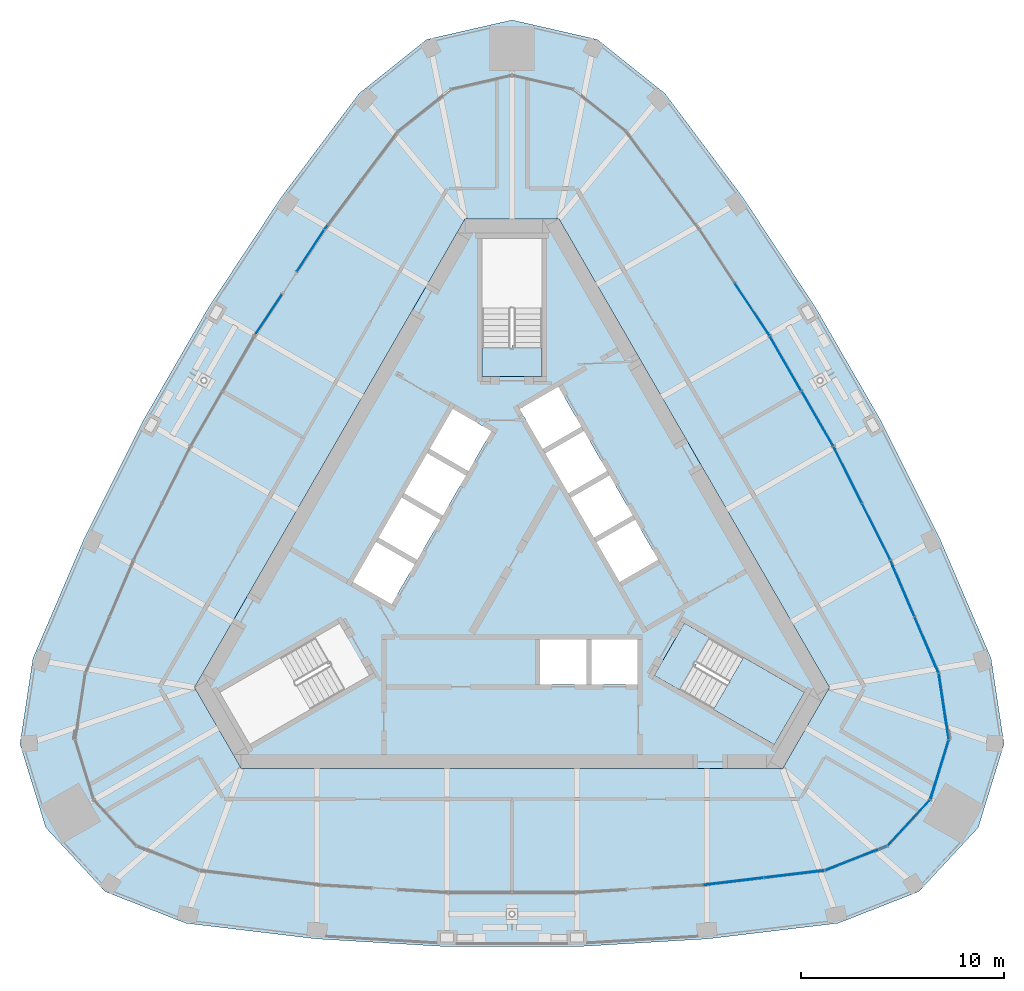
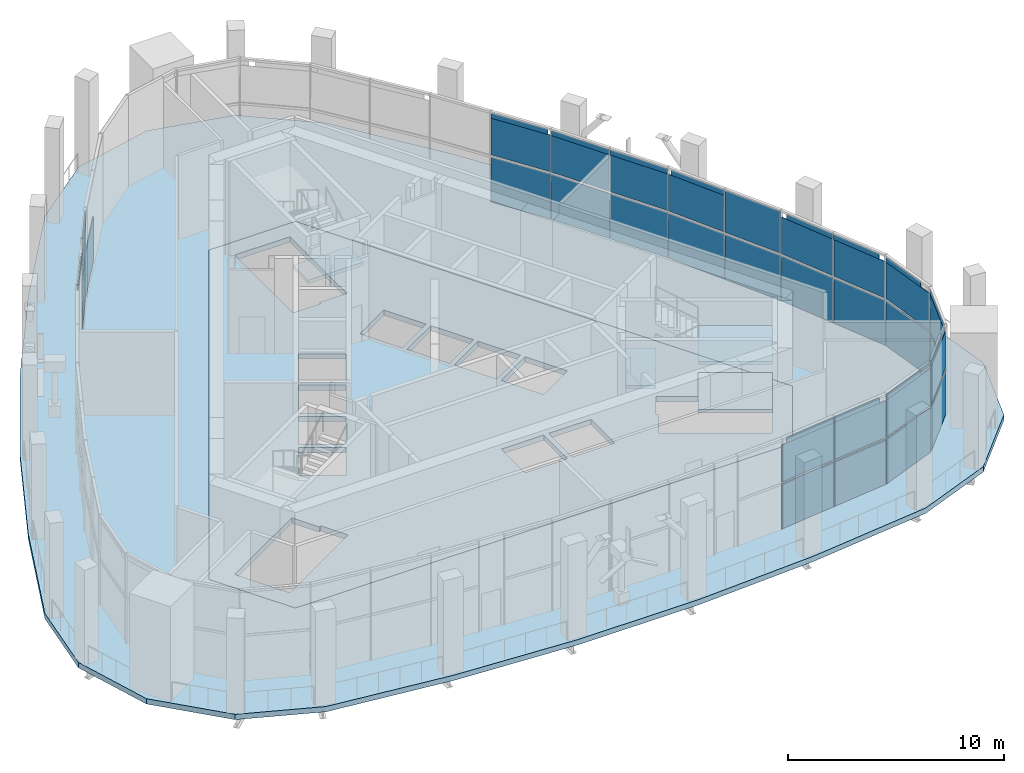
# One storey, part 8 of 23: 42 plates, 6 slabs, 6 elements without a shape of their own.
"""IFC4 building model written with IfcOpenShell, lengths in metres."""

from ifc_helpers import new_model, si_unit, direction, frame, origin, origin_2d, place, context, subcontext, project, spatial, polyline, rectangle, outline, extrude, material, layer, layer_set, type_object, element, aggregate, save


model = new_model("IFC4")

# Units and contexts
model_context = context("Model", 3, precision=1e-05, world=origin(), true_north=direction((0.0, 1.0)))
body_context = subcontext(model_context, "Body", "Model", "MODEL_VIEW")
ifc_project = project(units=[si_unit("LENGTHUNIT", "METRE"), si_unit("AREAUNIT", "SQUARE_METRE"), si_unit("VOLUMEUNIT", "CUBIC_METRE"), si_unit("PLANEANGLEUNIT", "RADIAN"), si_unit("MASSUNIT", "GRAM", prefix="KILO")], contexts=[model_context])

# Site, building, storey
site_placement = place(None, origin())
site = spatial("IfcSite", under=ifc_project, at=site_placement, CompositionType="ELEMENT")
building_placement = place(site_placement, origin())
building = spatial("IfcBuilding", under=site, at=building_placement, Name="Mestral Congress Tower", CompositionType="ELEMENT")
storey_placement = place(building_placement, frame((0.0, 0.0, 261.60009765625)))
storey = spatial("IfcBuildingStorey", under=building, at=storey_placement, Name="L61", CompositionType="ELEMENT", Elevation=261.60009765625)

# Slabs
ifc_material_1 = material(Name="Concrete C35/45", Category="concrete")
ifc_layer_1 = layer(ifc_material_1, 0.300048828125)
ifc_layer_set_1 = layer_set([ifc_layer_1], Name="Concrete C35/45")
slab_type_1 = type_object("IfcSlabType", Name="Composite floor slab 300", PredefinedType="FLOOR", material=ifc_layer_set_1)
placement_1 = place(storey_placement, frame((0.0, 0.0, -0.300048828125)))
element("IfcSlab", 1, at=placement_1, inside=storey, type_object=slab_type_1, Name="SL-L61", PredefinedType="FLOOR", context=body_context, shape_type="SweptSolid", body=[
    extrude(outline(polyline([(-16.051513671875, -17.951904296875), (-20.014404296875, -16.39794921875), (-22.940673828125, -13.244873046875), (-24.208251953125, -9.1337890625), (-23.572509765625, -4.925048828125), (-21.027587890625, 1.0234375), (-18.152099609375, 6.77001953125), (-14.939208984375, 12.335205078125), (-11.400146484375, 17.698486328125), (-7.52099609375, 22.876953125), (-4.19384765625, 25.531982421875), (0.0, 26.48974609375), (4.19384765625, 25.531982421875), (7.52099609375, 22.876953125), (11.400146484375, 17.698486328125), (14.939208984375, 12.335205078125), (18.152099609375, 6.77001953125), (21.027587890625, 1.0234375), (23.572509765625, -4.925048828125), (24.208251953125, -9.1337890625), (22.940673828125, -13.244873046875), (20.014404296875, -16.39794921875), (16.051513671875, -17.951904296875), (9.62744140625, -18.72216796875), (3.212890625, -19.105224609375), (-3.212890625, -19.105224609375), (-9.62744140625, -18.72216796875), (-16.051513671875, -17.951904296875)]), holes=[polyline([(-2.309326171875, 16.699951171875), (-15.6171875, -6.35009765625), (-13.307861328125, -10.35009765625), (13.307861328125, -10.35009765625), (15.6171875, -6.35009765625), (2.309326171875, 16.699951171875), (-2.309326171875, 16.699951171875)])]), origin(), (0.0, 0.0, 1.0), 0.300048828125),
])
ifc_material_2 = material(Name="Concrete C60/75", Category="concrete")
ifc_layer_2 = layer(ifc_material_2, 0.300048828125)
ifc_layer_set_2 = layer_set([ifc_layer_2], Name="Concrete C60/75")
slab_type_2 = type_object("IfcSlabType", Name="Core floor slab RC 300", PredefinedType="FLOOR", material=ifc_layer_set_2)
element("IfcSlab", 2, at=placement_1, inside=storey, type_object=slab_type_2, Name="L61 core floor", PredefinedType="FLOOR", context=body_context, shape_type="SweptSolid", body=[
    extrude(outline(polyline([(13.307861328125, -10.35009765625), (-13.307861328125, -10.35009765625), (-15.6171875, -6.35009765625), (-2.309326171875, 16.699951171875), (2.309326171875, 16.699951171875), (15.6171875, -6.35009765625), (13.307861328125, -10.35009765625)]), holes=[polyline([(-14.37744140625, -6.59765625), (-12.90234375, -9.15234375), (-8.234619140625, -6.45751953125), (-8.971923828125, -5.179931640625), (-9.0673828125, -5.235107421875), (-9.8046875, -3.95751953125), (-14.37744140625, -6.59765625)]), polyline([(-5.921630859375, -2.256591796875), (-4.78662109375, -0.29052734375), (-6.69189453125, 0.809326171875), (-7.826904296875, -1.156494140625), (-5.921630859375, -2.256591796875)]), polyline([(-4.66162109375, -0.07421875), (-3.526611328125, 1.8916015625), (-5.431884765625, 2.99169921875), (-6.56689453125, 1.02587890625), (-4.66162109375, -0.07421875)]), polyline([(-2.2666015625, 4.07421875), (-4.171875, 5.174072265625), (-5.306884765625, 3.208251953125), (-3.401611328125, 2.1083984375), (-2.2666015625, 4.07421875)]), polyline([(-2.1416015625, 4.29052734375), (-1.006591796875, 6.256591796875), (-2.911865234375, 7.3564453125), (-4.046875, 5.390625), (-2.1416015625, 4.29052734375)]), polyline([(0.376708984375, 7.34765625), (1.51171875, 5.3818359375), (3.4169921875, 6.481689453125), (2.281982421875, 8.44775390625), (0.376708984375, 7.34765625)]), polyline([(1.47509765625, 15.75), (-1.47509765625, 15.75), (-1.47509765625, 10.360107421875), (0.0, 10.360107421875), (0.0, 10.469970703125), (1.47509765625, 10.469970703125), (1.47509765625, 15.75)]), polyline([(8.329833984375, -6.512451171875), (12.90234375, -9.15234375), (14.37744140625, -6.59765625), (9.70947265625, -3.902587890625), (8.971923828125, -5.179931640625), (9.0673828125, -5.235107421875), (8.329833984375, -6.512451171875)]), polyline([(3.655029296875, -4.0), (1.385009765625, -4.0), (1.385009765625, -6.199951171875), (3.655029296875, -6.199951171875), (3.655029296875, -4.0)]), polyline([(6.175048828125, -4.0), (3.905029296875, -4.0), (3.905029296875, -6.199951171875), (6.175048828125, -6.199951171875), (6.175048828125, -4.0)]), polyline([(4.156494140625, 0.800537109375), (5.29150390625, -1.165283203125), (7.197021484375, -0.065185546875), (6.06201171875, 1.900634765625), (4.156494140625, 0.800537109375)]), polyline([(2.896484375, 2.98291015625), (4.031494140625, 1.01708984375), (5.93701171875, 2.1171875), (4.802001953125, 4.0830078125), (2.896484375, 2.98291015625)]), polyline([(1.63671875, 5.165283203125), (2.771484375, 3.199462890625), (4.677001953125, 4.29931640625), (3.5419921875, 6.265380859375), (1.63671875, 5.165283203125)])]), origin(), (0.0, 0.0, 1.0), 0.300048828125),
])

# Stair, slabs
stair_type = type_object("IfcStairType", Name="Exit stair 1400", PredefinedType="HALF_TURN_STAIR", material=ifc_material_2)
placement_2 = place(storey_placement, origin())
stair_1 = element("IfcStair", 3, at=placement_2, inside=storey, type_object=stair_type, Name="L61 ST1", PredefinedType="HALF_TURN_STAIR")
ifc_layer_3 = layer(ifc_material_2, 0.199951171875)
ifc_layer_set_3 = layer_set([ifc_layer_3], Name="Concrete C60/75")
slab_type_3 = type_object("IfcSlabType", Name="Exit stair landing 200", PredefinedType="LANDING", material=ifc_layer_set_3)
slab_3_placement = place(storey_placement, frame((0.0, 0.0, 1.14990234375)))
slab_3 = element("IfcSlab", 4, at=slab_3_placement, type_object=slab_type_3, Name="ST1 landing 1", PredefinedType="LANDING", context=body_context, shape_type="SweptSolid", body=[
    extrude(outline(polyline([(9.90966796875, -7.43603515625), (11.39453125, -4.864013671875), (14.39111328125, -6.593994140625), (12.906005859375, -9.166015625), (9.90966796875, -7.43603515625)])), origin(), (0.0, 0.0, 1.0), 0.199951171875),
])
placement_3 = place(storey_placement, frame((0.0, 0.0, 2.5)))
slab_4 = element("IfcSlab", 5, at=placement_3, type_object=slab_type_3, Name="ST1 landing 2", PredefinedType="LANDING", context=body_context, shape_type="SweptSolid", body=[
    extrude(outline(polyline([(6.999755859375, -5.756103515625), (8.48486328125, -3.18408203125), (9.714599609375, -3.89404296875), (8.2294921875, -6.466064453125), (6.999755859375, -5.756103515625)])), origin(), (0.0, 0.0, 1.0), 0.199951171875),
])
slab_5_placement = place(storey_placement, frame((0.0, 0.0, 3.849853515625)))
slab_5 = element("IfcSlab", 6, at=slab_5_placement, type_object=slab_type_3, Name="ST1 landing 3", PredefinedType="LANDING", context=body_context, shape_type="SweptSolid", body=[
    extrude(outline(polyline([(9.90966796875, -7.43603515625), (11.39453125, -4.864013671875), (14.39111328125, -6.593994140625), (12.906005859375, -9.166015625), (9.90966796875, -7.43603515625)])), origin(), (0.0, 0.0, 1.0), 0.199951171875),
])
aggregate(stair_1, [slab_3, slab_4, slab_5])

# Stair, slab
stair_2 = element("IfcStair", 7, at=placement_2, inside=storey, type_object=stair_type, Name="L61 ST2", PredefinedType="HALF_TURN_STAIR")
slab_6 = element("IfcSlab", 8, at=placement_3, type_object=slab_type_3, Name="ST2 landing 2", PredefinedType="LANDING", context=body_context, shape_type="SweptSolid", body=[
    extrude(outline(polyline([(1.485107421875, 8.93994140625), (-1.485107421875, 8.93994140625), (-1.485107421875, 10.360107421875), (1.485107421875, 10.360107421875), (1.485107421875, 8.93994140625)])), origin(), (0.0, 0.0, 1.0), 0.199951171875),
])
aggregate(stair_2, [slab_6])

# Curtain wall, plates
ifc_material_3 = material(Name="Clear low-emissivity double glazing", Category="glass")
curtain_wall_type = type_object("IfcCurtainWallType", Name="Facade control room curtain wall", PredefinedType="USERDEFINED", material=ifc_material_3)
curtain_wall_1 = element("IfcCurtainWall", 9, at=placement_2, inside=storey, type_object=curtain_wall_type, Name="Facade control room curtain wall face 1", ObjectType="CURTAIN WALL", PredefinedType="USERDEFINED")
ifc_layer_4 = layer(ifc_material_3, 0.028076171875)
ifc_layer_set_4 = layer_set([ifc_layer_4], Name="Clear low-emissivity double glazing")
plate_type = type_object("IfcPlateType", Name="Facade control room curtain wall panel", PredefinedType="CURTAIN_PANEL", material=ifc_layer_set_4)
plate_1_placement = place(storey_placement, frame((10.892578125, -15.9013671875, 0.0), z_axis=(0.0, 0.0, 1.0), x_axis=(0.992888839122, 0.11904517272, 0.0)))
plate_1 = element("IfcPlate", 10, at=plate_1_placement, type_object=plate_type, Name="Control room glass unit", PredefinedType="CURTAIN_PANEL", context=body_context, shape_type="SweptSolid", body=[
    extrude(rectangle(XDim=2.97607421875, YDim=0.028076171875, at=origin_2d()), origin(), (0.0, 0.0, 1.0), 2.5400390625),
])
plate_2_placement = place(storey_placement, frame((12.371826171875, -15.738037109375, 2.659912109375), z_axis=(0.119034993052, -0.992888022678, 0.002011181573), x_axis=(-0.992890030727, -0.119035233792, 0.0)))
plate_2 = element("IfcPlate", 11, at=plate_2_placement, type_object=plate_type, Name="Control room glass unit", PredefinedType="CURTAIN_PANEL", context=body_context, shape_type="SweptSolid", body=[
    extrude(outline(polyline([(0.0, 0.0), (2.9759932046179456, 0.0), (2.9759839714848866, -2.0778850617473186), (-9.233133059180683e-06, -2.0778850617473186), (0.0, 0.0)])), origin(), (0.0, 0.0, -1.0), 0.028076171875),
])
plate_3_placement = place(storey_placement, frame((12.370849609375, -15.729248046875, 5.02978515625), z_axis=(0.119066373006, -0.992884022598, 0.00212520338), x_axis=(5.5349385e-05, -0.002133792306, -0.999997721931)))
plate_3 = element("IfcPlate", 12, at=plate_3_placement, type_object=plate_type, Name="Control room glass unit", PredefinedType="CURTAIN_PANEL", context=body_context, shape_type="SweptSolid", body=[
    extrude(outline(polyline([(0.0, 0.0), (0.29199256421237285, 6.776263578034403e-21), (0.29252949103610815, -2.6952145418160494), (0.0005363923653145024, -2.6954278767955633), (0.0, 0.0)])), origin(), (0.0, 0.0, -1.0), 0.028076171875),
])
plate_4_placement = place(storey_placement, frame((13.897216796875, -15.541015625, 0.0), z_axis=(0.0, 0.0, 1.0), x_axis=(0.992888839122, 0.11904517272, 0.0)))
plate_4 = element("IfcPlate", 13, at=plate_4_placement, type_object=plate_type, Name="Control room glass unit", PredefinedType="CURTAIN_PANEL", context=body_context, shape_type="SweptSolid", body=[
    extrude(rectangle(XDim=2.97607421875, YDim=0.028076171875, at=origin_2d()), origin(), (0.0, 0.0, 1.0), 2.5400390625),
])
plate_5_placement = place(storey_placement, frame((15.37646484375, -15.377685546875, 2.659912109375), z_axis=(0.11902529803, -0.992889184943, 0.002011181617), x_axis=(-0.992891192994, -0.11902553875, 0.0)))
plate_5 = element("IfcPlate", 14, at=plate_5_placement, type_object=plate_type, Name="Control room glass unit", PredefinedType="CURTAIN_PANEL", context=body_context, shape_type="SweptSolid", body=[
    extrude(outline(polyline([(0.0, 0.0), (2.9762356095524876, 0.0), (2.976226417225152, -2.0778850617474993), (-9.192327335945715e-06, -2.0778850617474993), (0.0, 0.0)])), origin(), (0.0, 0.0, -1.0), 0.028076171875),
])
plate_6_placement = place(storey_placement, frame((12.42041015625, -15.721923828125, 4.73779296875), z_axis=(0.119027658555, -0.992888664472, 0.002125196898), x_axis=(-0.000780787992, 0.002046811999, 0.999997600462)))
plate_6 = element("IfcPlate", 15, at=plate_6_placement, type_object=plate_type, Name="Control room glass unit", PredefinedType="CURTAIN_PANEL", context=body_context, shape_type="SweptSolid", body=[
    extrude(outline(polyline([(0.0, 0.0), (0.2919931766057461, 0.0), (0.290596580421119, -2.6265661355023653), (-0.0013959058525979324, -2.6263527903852744), (0.0, 0.0)])), origin(), (0.0, 0.0, -1.0), 0.028076171875),
])
aggregate(curtain_wall_1, [plate_1, plate_2, plate_3, plate_4, plate_5, plate_6])

curtain_wall_2 = element("IfcCurtainWall", 16, at=placement_2, inside=storey, type_object=curtain_wall_type, Name="Facade control room curtain wall face 2", ObjectType="CURTAIN WALL", PredefinedType="USERDEFINED")
plate_7_placement = place(storey_placement, frame((20.40771484375, -4.264892578125, 0.0), z_axis=(0.0, 0.0, 1.0), x_axis=(-0.393348275787, 0.919389544173, 0.0)))
plate_7 = element("IfcPlate", 17, at=plate_7_placement, type_object=plate_type, Name="Control room glass unit", PredefinedType="CURTAIN_PANEL", context=body_context, shape_type="SweptSolid", body=[
    extrude(rectangle(XDim=2.97607421875, YDim=0.028076171875, at=origin_2d()), origin(), (0.0, 0.0, 1.0), 2.5400390625),
])
plate_8_placement = place(storey_placement, frame((19.835205078125, -2.891357421875, 2.659912109375), z_axis=(0.919401872447, 0.393314501668, 0.001974770683), x_axis=(0.393315268501, -0.91940366519, 4.2615e-08)))
plate_8 = element("IfcPlate", 18, at=plate_8_placement, type_object=plate_type, Name="Control room glass unit", PredefinedType="CURTAIN_PANEL", context=body_context, shape_type="SweptSolid", body=[
    extrude(outline(polyline([(0.0, 0.0), (2.9759058283625786, 0.0), (2.976036799878086, -2.077884784137936), (-0.00018951650541256497, -2.0778850377902516), (0.0, 0.0)])), origin(), (0.0, 0.0, -1.0), 0.028076171875),
])
plate_9_placement = place(storey_placement, frame((19.821533203125, -2.897216796875, 5.02978515625), z_axis=(0.91938738446, 0.393345909443, 0.002415123182), x_axis=(0.001874424526, 0.001758739381, -0.999996696679)))
plate_9 = element("IfcPlate", 19, at=plate_9_placement, type_object=plate_type, Name="Control room glass unit", PredefinedType="CURTAIN_PANEL", context=body_context, shape_type="SweptSolid", body=[
    extrude(outline(polyline([(0.0, 0.0), (0.291992996961827, 0.0), (0.2896826633129272, -2.62654485407313), (-0.0023103618923433563, -2.6262243614627634), (0.0, 0.0)])), origin(), (0.0, 0.0, -1.0), 0.028076171875),
])
plate_10_placement = place(storey_placement, frame((19.21728515625, -1.482666015625, 0.0), z_axis=(0.0, 0.0, 1.0), x_axis=(-0.393348275787, 0.919389544173, 0.0)))
plate_10 = element("IfcPlate", 20, at=plate_10_placement, type_object=plate_type, Name="Control room glass unit", PredefinedType="CURTAIN_PANEL", context=body_context, shape_type="SweptSolid", body=[
    extrude(rectangle(XDim=2.97607421875, YDim=0.028076171875, at=origin_2d()), origin(), (0.0, 0.0, 1.0), 2.5400390625),
])
plate_11_placement = place(storey_placement, frame((18.644775390625, -0.109130859375, 2.659912109375), z_axis=(0.919380550187, 0.393363945583, 0.002051890074), x_axis=(0.393364773666, -0.919382485606, 0.0)))
plate_11 = element("IfcPlate", 21, at=plate_11_placement, type_object=plate_type, Name="Control room glass unit", PredefinedType="CURTAIN_PANEL", context=body_context, shape_type="SweptSolid", body=[
    extrude(outline(polyline([(0.0, 0.0), (2.9760018569122693, 0.0), (2.976036486067684, -2.0778852335907456), (3.4629155414431124e-05, -2.0778852335907456), (0.0, 0.0)])), origin(), (0.0, 0.0, -1.0), 0.028076171875),
])
plate_12_placement = place(storey_placement, frame((19.807861328125, -2.8486328125, 4.73779296875), z_axis=(0.919388494781, 0.393344289516, 0.002250681878), x_axis=(-0.002025613334, -0.000987304457, 0.999997461057)))
plate_12 = element("IfcPlate", 22, at=plate_12_placement, type_object=plate_type, Name="Control room glass unit", PredefinedType="CURTAIN_PANEL", context=body_context, shape_type="SweptSolid", body=[
    extrude(outline(polyline([(0.0, 0.0), (0.2919926762586298, 0.0), (0.29169387217392795, -2.695340665484851), (-0.00029929861920710695, -2.6952446338654794), (0.0, 0.0)])), origin(), (0.0, 0.0, -1.0), 0.028076171875),
])
plate_13_placement = place(storey_placement, frame((17.921142578125, 1.309814453125, 0.0), z_axis=(0.0, 0.0, 1.0), x_axis=(-0.447470354697, 0.894298765328, 0.0)))
plate_13 = element("IfcPlate", 23, at=plate_13_placement, type_object=plate_type, Name="Control room glass unit", PredefinedType="CURTAIN_PANEL", context=body_context, shape_type="SweptSolid", body=[
    extrude(rectangle(XDim=3.083984375, YDim=0.028076171875, at=origin_2d()), origin(), (0.0, 0.0, 1.0), 2.5400390625),
])
plate_14_placement = place(storey_placement, frame((17.921142578125, 1.309814453125, 2.659912109375), z_axis=(0.0, 0.0, 1.0), x_axis=(-0.447470354697, 0.894298765328, 0.0)))
plate_14 = element("IfcPlate", 24, at=plate_14_placement, type_object=plate_type, Name="Control room glass unit", PredefinedType="CURTAIN_PANEL", context=body_context, shape_type="SweptSolid", body=[
    extrude(rectangle(XDim=3.083984375, YDim=0.028076171875, at=origin_2d()), origin(), (0.0, 0.0, 1.0), 2.3701171875),
])
plate_15_placement = place(storey_placement, frame((16.518798828125, 4.1123046875, 0.0), z_axis=(0.0, 0.0, 1.0), x_axis=(-0.447470354697, 0.894298765328, 0.0)))
plate_15 = element("IfcPlate", 25, at=plate_15_placement, type_object=plate_type, Name="Control room glass unit", PredefinedType="CURTAIN_PANEL", context=body_context, shape_type="SweptSolid", body=[
    extrude(rectangle(XDim=3.083984375, YDim=0.028076171875, at=origin_2d()), origin(), (0.0, 0.0, 1.0), 2.5400390625),
])
plate_16_placement = place(storey_placement, frame((15.841064453125, 5.497314453125, 2.659912109375), z_axis=(0.894282860063, 0.447497686483, 0.001996694646), x_axis=(0.447498578651, -0.894284642664, -7.0681e-08)))
plate_16 = element("IfcPlate", 26, at=plate_16_placement, type_object=plate_type, Name="Control room glass unit", PredefinedType="CURTAIN_PANEL", context=body_context, shape_type="SweptSolid", body=[
    extrude(outline(polyline([(0.0, 0.0), (3.0838742159791903, 0.0), (3.083654346271674, -2.0778852193790383), (-0.0001106171248373124, -2.077884783445999), (0.0, 0.0)])), origin(), (0.0, 0.0, -1.0), 0.028076171875),
])
plate_17_placement = place(storey_placement, frame((17.215576171875, 2.73681640625, 4.73779296875), z_axis=(0.894276296916, 0.44751135103, 0.001869618683), x_axis=(-0.00167223788, -0.00083611894, 0.999998252261)))
plate_17 = element("IfcPlate", 27, at=plate_17_placement, type_object=plate_type, Name="Control room glass unit", PredefinedType="CURTAIN_PANEL", context=body_context, shape_type="SweptSolid", body=[
    extrude(outline(polyline([(0.0, 0.0), (0.2919926978269475, 1.7999450129153882e-20), (0.2919945350023528, -2.943792391023765), (1.8371754053124294e-06, -2.943792391023765), (0.0, 0.0)])), origin(), (0.0, 0.0, -1.0), 0.028076171875),
])
plate_18_placement = place(storey_placement, frame((15.0341796875, 6.87060546875, 0.0), z_axis=(0.0, 0.0, 1.0), x_axis=(-0.5, 0.866025403784, 0.0)))
plate_18 = element("IfcPlate", 28, at=plate_18_placement, type_object=plate_type, Name="Control room glass unit", PredefinedType="CURTAIN_PANEL", context=body_context, shape_type="SweptSolid", body=[
    extrude(rectangle(XDim=3.083984375, YDim=0.028076171875, at=origin_2d()), origin(), (0.0, 0.0, 1.0), 2.5400390625),
])
plate_19_placement = place(storey_placement, frame((14.275146484375, 8.212890625, 2.659912109375), z_axis=(0.866011048578, 0.50002064017, 0.002055028961), x_axis=(0.500021696003, -0.866012877229, 0.0)))
plate_19 = element("IfcPlate", 29, at=plate_19_placement, type_object=plate_type, Name="Control room glass unit", PredefinedType="CURTAIN_PANEL", context=body_context, shape_type="SweptSolid", body=[
    extrude(outline(polyline([(0.0, 0.0), (3.0838505605375786, -4.336808689942018e-19), (3.083922286722885, -2.077885246983973), (7.172618530611142e-05, -2.077885246983973), (0.0, 0.0)])), origin(), (0.0, 0.0, -1.0), 0.028076171875),
])
plate_20_placement = place(storey_placement, frame((14.269287109375, 8.20947265625, 5.02978515625), z_axis=(0.866008088471, 0.500026507088, 0.001866256425), x_axis=(0.00167223788, 0.00083611894, -0.999998252261)))
plate_20 = element("IfcPlate", 30, at=plate_20_placement, type_object=plate_type, Name="Control room glass unit", PredefinedType="CURTAIN_PANEL", context=body_context, shape_type="SweptSolid", body=[
    extrude(outline(polyline([(0.0, 0.0), (0.2919926978269475, -1.3552527156068805e-20), (0.29233706615014327, -3.072585645285875), (0.0003443683231958007, -3.072585645285875), (0.0, 0.0)])), origin(), (0.0, 0.0, -1.0), 0.028076171875),
])
plate_21_placement = place(storey_placement, frame((13.46728515625, 9.584716796875, 0.0), z_axis=(0.0, 0.0, 1.0), x_axis=(-0.5, 0.866025403784, 0.0)))
plate_21 = element("IfcPlate", 31, at=plate_21_placement, type_object=plate_type, Name="Control room glass unit", PredefinedType="CURTAIN_PANEL", context=body_context, shape_type="SweptSolid", body=[
    extrude(rectangle(XDim=3.083984375, YDim=0.028076171875, at=origin_2d()), origin(), (0.0, 0.0, 1.0), 2.5400390625),
])
plate_22_placement = place(storey_placement, frame((12.708251953125, 10.927001953125, 2.659912109375), z_axis=(0.866038224447, 0.499973893368, 0.001974777623), x_axis=(0.499974868074, -0.866039913223, 1.06777e-07)))
plate_22 = element("IfcPlate", 32, at=plate_22_placement, type_object=plate_type, Name="Control room glass unit", PredefinedType="CURTAIN_PANEL", context=body_context, shape_type="SweptSolid", body=[
    extrude(outline(polyline([(0.0, 0.0), (3.0839399273781933, 0.0), (3.0839227349783105, -2.0778845816992937), (7.217894903058925e-05, -2.0778852402775008), (0.0, 0.0)])), origin(), (0.0, 0.0, -1.0), 0.028076171875),
])
plate_23_placement = place(storey_placement, frame((14.239501953125, 8.25, 4.73779296875), z_axis=(0.866042495169, 0.499966912525, 0.001866264133), x_axis=(-0.00167223788, -0.00083611894, 0.999998252261)))
plate_23 = element("IfcPlate", 33, at=plate_23_placement, type_object=plate_type, Name="Control room glass unit", PredefinedType="CURTAIN_PANEL", context=body_context, shape_type="SweptSolid", body=[
    extrude(outline(polyline([(0.0, 0.0), (0.2919926978269475, 3.3881317890172014e-20), (0.2923366578889421, -3.0724635756088854), (0.00034396006199461987, -3.072463575608886), (0.0, 0.0)])), origin(), (0.0, 0.0, -1.0), 0.028076171875),
])
plate_24_placement = place(storey_placement, frame((11.82080078125, 12.24951171875, 0.0), z_axis=(0.0, 0.0, 1.0), x_axis=(-0.550750271998, 0.834670077272, 0.0)))
plate_24 = element("IfcPlate", 34, at=plate_24_placement, type_object=plate_type, Name="Control room glass unit", PredefinedType="CURTAIN_PANEL", context=body_context, shape_type="SweptSolid", body=[
    extrude(rectangle(XDim=3.083984375, YDim=0.028076171875, at=origin_2d()), origin(), (0.0, 0.0, 1.0), 2.5400390625),
])
plate_25_placement = place(storey_placement, frame((10.98291015625, 13.544189453125, 2.659912109375), z_axis=(0.834657926806, 0.5507649812, 0.002020075289), x_axis=(0.550766104958, -0.834659629807, 0.0)))
plate_25 = element("IfcPlate", 35, at=plate_25_placement, type_object=plate_type, Name="Control room glass unit", PredefinedType="CURTAIN_PANEL", context=body_context, shape_type="SweptSolid", body=[
    extrude(outline(polyline([(0.0, 0.0), (3.0838613938591224, 0.0), (3.0840166357606518, -2.077885098996524), (0.00015524190152944612, -2.077885098996524), (0.0, 0.0)])), origin(), (0.0, 0.0, -1.0), 0.028076171875),
])
plate_26_placement = place(storey_placement, frame((10.975830078125, 13.539306640625, 5.02978515625), z_axis=(0.834693369808, 0.550711841765, 0.001856269717), x_axis=(0.00167223788, 0.00083611894, -0.999998252261)))
plate_26 = element("IfcPlate", 36, at=plate_26_placement, type_object=plate_type, Name="Control room glass unit", PredefinedType="CURTAIN_PANEL", context=body_context, shape_type="SweptSolid", body=[
    extrude(outline(polyline([(0.0, 0.0), (0.2919926978269475, 1.3552527156068805e-20), (0.2926491818384458, -2.94362821680904), (0.0006564840114983372, -2.94362821680904), (0.0, 0.0)])), origin(), (0.0, 0.0, -1.0), 0.028076171875),
])
aggregate(curtain_wall_2, [plate_7, plate_8, plate_9, plate_10, plate_11, plate_12, plate_13, plate_14, plate_15, plate_16, plate_17, plate_18, plate_19, plate_20, plate_21, plate_22, plate_23, plate_24, plate_25, plate_26])

curtain_wall_3 = element("IfcCurtainWall", 37, at=placement_2, inside=storey, type_object=curtain_wall_type, Name="Facade control room curtain wall face 3", ObjectType="CURTAIN WALL", PredefinedType="USERDEFINED")
plate_27_placement = place(storey_placement, frame((-8.32470703125, 17.384033203125, 0.0), z_axis=(0.0, 0.0, 1.0), x_axis=(-0.599540563334, -0.800344371453, 0.0)))
plate_27 = element("IfcPlate", 38, at=plate_27_placement, type_object=plate_type, Name="Control room glass unit", PredefinedType="CURTAIN_PANEL", context=body_context, shape_type="SweptSolid", body=[
    extrude(rectangle(XDim=2.97607421875, YDim=0.028076171875, at=origin_2d()), origin(), (0.0, 0.0, 1.0), 2.5400390625),
])
plate_28_placement = place(storey_placement, frame((-9.915771484375, 15.136474609375, 0.0), z_axis=(0.0, 0.0, 1.0), x_axis=(-0.550750271998, -0.834670077272, 0.0)))
plate_28 = element("IfcPlate", 39, at=plate_28_placement, type_object=plate_type, Name="Control room glass unit", PredefinedType="CURTAIN_PANEL", context=body_context, shape_type="SweptSolid", body=[
    extrude(rectangle(XDim=2.433837890625, YDim=0.028076171875, at=origin_2d()), origin(), (0.0, 0.0, 1.0), 2.5400390625),
])
plate_29_placement = place(storey_placement, frame((-9.915771484375, 15.136474609375, 2.659912109375), z_axis=(0.0, 0.0, 1.0), x_axis=(-0.550750271998, -0.834670077272, 0.0)))
plate_29 = element("IfcPlate", 40, at=plate_29_placement, type_object=plate_type, Name="Control room glass unit", PredefinedType="CURTAIN_PANEL", context=body_context, shape_type="SweptSolid", body=[
    extrude(rectangle(XDim=2.433837890625, YDim=0.028076171875, at=origin_2d()), origin(), (0.0, 0.0, 1.0), 2.3701171875),
])
plate_30_placement = place(storey_placement, frame((-11.33251953125, 12.99609375, 4.73779296875), z_axis=(-0.834675604594, 0.550737942762, 0.002086503448), x_axis=(0.001480059644, -0.001545433729, 0.999997710526)))
plate_30 = element("IfcPlate", 41, at=plate_30_placement, type_object=plate_type, Name="Control room glass unit", PredefinedType="CURTAIN_PANEL", context=body_context, shape_type="SweptSolid", body=[
    extrude(outline(polyline([(0.0, 0.0), (0.29199299628328096, 8.131516293641283e-20), (0.29308184327270903, -2.293512920336981), (0.0010892242925844963, -2.293716698848157), (0.0, 0.0)])), origin(), (0.0, 0.0, -1.0), 0.028076171875),
])
aggregate(curtain_wall_3, [plate_27, plate_28, plate_29, plate_30])

curtain_wall_4 = element("IfcCurtainWall", 42, at=placement_2, inside=storey, type_object=curtain_wall_type, Name="Facade control room curtain wall corner 1", ObjectType="CURTAIN WALL", PredefinedType="USERDEFINED")
plate_31_placement = place(storey_placement, frame((16.941650390625, -14.75634765625, 0.0), z_axis=(0.0, 0.0, 1.0), x_axis=(0.930994029998, 0.365034404006, 0.0)))
plate_31 = element("IfcPlate", 43, at=plate_31_placement, type_object=plate_type, Name="Control room glass unit", PredefinedType="CURTAIN_PANEL", context=body_context, shape_type="SweptSolid", body=[
    extrude(rectangle(XDim=3.2626953125, YDim=0.028076171875, at=origin_2d()), origin(), (0.0, 0.0, 1.0), 2.5400390625),
])
plate_32_placement = place(storey_placement, frame((18.46533203125, -14.173828125, 2.659912109375), z_axis=(0.365020648752, -0.930997212269, 0.002028973048), x_axis=(-0.930999128587, -0.365021400153, -2.7711e-08)))
plate_32 = element("IfcPlate", 44, at=plate_32_placement, type_object=plate_type, Name="Control room glass unit", PredefinedType="CURTAIN_PANEL", context=body_context, shape_type="SweptSolid", body=[
    extrude(outline(polyline([(0.0, 0.0), (3.2624840206789893, 0.0), (3.262649161217959, -2.0778852268392534), (-6.215417015758961e-05, -2.077885046017871), (0.0, 0.0)])), origin(), (0.0, 0.0, -1.0), 0.028076171875),
])
plate_33_placement = place(storey_placement, frame((15.4248046875, -15.357177734375, 4.73779296875), z_axis=(0.365028798621, -0.930994365681, 0.001862054791), x_axis=(-0.00083611894, 0.00167223788, 0.999998252261)))
plate_33 = element("IfcPlate", 45, at=plate_33_placement, type_object=plate_type, Name="Control room glass unit", PredefinedType="CURTAIN_PANEL", context=body_context, shape_type="SweptSolid", body=[
    extrude(outline(polyline([(0.0, 0.0), (0.2919926978269475, 0.0), (0.29156075747609844, -2.5709613209542015), (-0.0004319403508490304, -2.570961320954202), (0.0, 0.0)])), origin(), (0.0, 0.0, -1.0), 0.028076171875),
])
plate_34_placement = place(storey_placement, frame((19.53515625, -13.018798828125, 0.0), z_axis=(0.0, 0.0, 1.0), x_axis=(0.680252788656, 0.732977587328, 0.0)))
plate_34 = element("IfcPlate", 46, at=plate_34_placement, type_object=plate_type, Name="Control room glass unit", PredefinedType="CURTAIN_PANEL", context=body_context, shape_type="SweptSolid", body=[
    extrude(rectangle(XDim=3.04150390625, YDim=0.028076171875, at=origin_2d()), origin(), (0.0, 0.0, 1.0), 2.5400390625),
])
plate_35_placement = place(storey_placement, frame((20.579833984375, -11.91357421875, 2.659912109375), z_axis=(0.732943541731, -0.68028655308, 0.001992569749), x_axis=(-0.680287903566, -0.732944996751, 0.0)))
plate_35 = element("IfcPlate", 47, at=plate_35_placement, type_object=plate_type, Name="Control room glass unit", PredefinedType="CURTAIN_PANEL", context=body_context, shape_type="SweptSolid", body=[
    extrude(outline(polyline([(0.0, 0.0), (3.04149432325484, -4.336808689942018e-19), (3.0413400544271507, -2.07788498432801), (-0.00015426882768919859, -2.07788498432801), (0.0, 0.0)])), origin(), (0.0, 0.0, -1.0), 0.028076171875),
])
plate_36_placement = place(storey_placement, frame((18.50341796875, -14.135986328125, 4.73779296875), z_axis=(0.732981588446, -0.680244372288, 0.002363254115), x_axis=(-0.001672236126, 0.001672236126, 0.999997203622)))
plate_36 = element("IfcPlate", 48, at=plate_36_placement, type_object=plate_type, Name="Control room glass unit", PredefinedType="CURTAIN_PANEL", context=body_context, shape_type="SweptSolid", body=[
    extrude(outline(polyline([(0.0, 0.0), (0.2919930040226878, 6.776263578034403e-21), (0.29225510743899313, -2.972053786067791), (0.00026210341630532666, -2.9720537860677907), (0.0, 0.0)])), origin(), (0.0, 0.0, -1.0), 0.028076171875),
])
plate_37_placement = place(storey_placement, frame((21.0419921875, -10.40869140625, 0.0), z_axis=(0.0, 0.0, 1.0), x_axis=(0.294650816702, 0.955604989636, 0.0)))
plate_37 = element("IfcPlate", 49, at=plate_37_placement, type_object=plate_type, Name="Control room glass unit", PredefinedType="CURTAIN_PANEL", context=body_context, shape_type="SweptSolid", body=[
    extrude(rectangle(XDim=3.04150390625, YDim=0.028076171875, at=origin_2d()), origin(), (0.0, 0.0, 1.0), 2.5400390625),
])
plate_38_placement = place(storey_placement, frame((21.50341796875, -8.95947265625, 2.659912109375), z_axis=(0.955612861457, -0.294618202341, 0.002043004621), x_axis=(-0.294618817086, -0.955614855796, -5.4199e-08)))
plate_38 = element("IfcPlate", 50, at=plate_38_placement, type_object=plate_type, Name="Control room glass unit", PredefinedType="CURTAIN_PANEL", context=body_context, shape_type="SweptSolid", body=[
    extrude(outline(polyline([(0.0, 0.0), (3.0414662883208474, -2.168404344971009e-19), (3.041522436836602, -2.077885360637653), (-0.0002490843145391244, -2.0778850309292243), (0.0, 0.0)])), origin(), (0.0, 0.0, -1.0), 0.028076171875),
])
plate_39_placement = place(storey_placement, frame((21.4892578125, -8.955078125, 5.02978515625), z_axis=(0.955603532482, -0.294644764775, 0.002520178077), x_axis=(0.002626063488, -3.6294007e-05, -0.999996551231)))
plate_39 = element("IfcPlate", 51, at=plate_39_placement, type_object=plate_type, Name="Control room glass unit", PredefinedType="CURTAIN_PANEL", context=body_context, shape_type="SweptSolid", body=[
    extrude(outline(polyline([(0.0, 0.0), (0.2919931038726528, -5.421010862427522e-20), (0.289796461964783, -2.9722699231292027), (-0.0021966507687114175, -2.972036620674375), (0.0, 0.0)])), origin(), (0.0, 0.0, -1.0), 0.028076171875),
])
plate_40_placement = place(storey_placement, frame((21.250244140625, -7.293701171875, 0.0), z_axis=(0.0, 0.0, 1.0), x_axis=(-0.149367947874, 0.988781682753, 0.0)))
plate_40 = element("IfcPlate", 52, at=plate_40_placement, type_object=plate_type, Name="Control room glass unit", PredefinedType="CURTAIN_PANEL", context=body_context, shape_type="SweptSolid", body=[
    extrude(rectangle(XDim=3.2626953125, YDim=0.028076171875, at=origin_2d()), origin(), (0.0, 0.0, 1.0), 2.5400390625),
])
plate_41_placement = place(storey_placement, frame((21.020263671875, -5.678466796875, 2.659912109375), z_axis=(0.988781212881, 0.149357295362, 0.002027652744), x_axis=(0.149357602395, -0.988783245513, 0.0)))
plate_41 = element("IfcPlate", 53, at=plate_41_placement, type_object=plate_type, Name="Control room glass unit", PredefinedType="CURTAIN_PANEL", context=body_context, shape_type="SweptSolid", body=[
    extrude(outline(polyline([(0.0, 0.0), (3.262670796041626, -2.168404344971009e-19), (3.2627751101275213, -2.0778851308625566), (0.00010431408589563932, -2.0778851308625566), (0.0, 0.0)])), origin(), (0.0, 0.0, -1.0), 0.028076171875),
])
plate_42_placement = place(storey_placement, frame((21.007568359375, -5.680419921875, 5.02978515625), z_axis=(0.988785604305, 0.149326805548, 0.002129287135), x_axis=(0.002161345852, -5.2405232e-05, -0.999997662916)))
plate_42 = element("IfcPlate", 54, at=plate_42_placement, type_object=plate_type, Name="Control room glass unit", PredefinedType="CURTAIN_PANEL", context=body_context, shape_type="SweptSolid", body=[
    extrude(outline(polyline([(0.0, 0.0), (0.2919930881067613, -1.3552527156068805e-20), (0.29295580269462596, -2.570800923542228), (0.0009632550544379065, -2.5710787834642326), (0.0, 0.0)])), origin(), (0.0, 0.0, -1.0), 0.028076171875),
])
aggregate(curtain_wall_4, [plate_31, plate_32, plate_33, plate_34, plate_35, plate_36, plate_37, plate_38, plate_39, plate_40, plate_41, plate_42])

save(model, "model.ifc")
